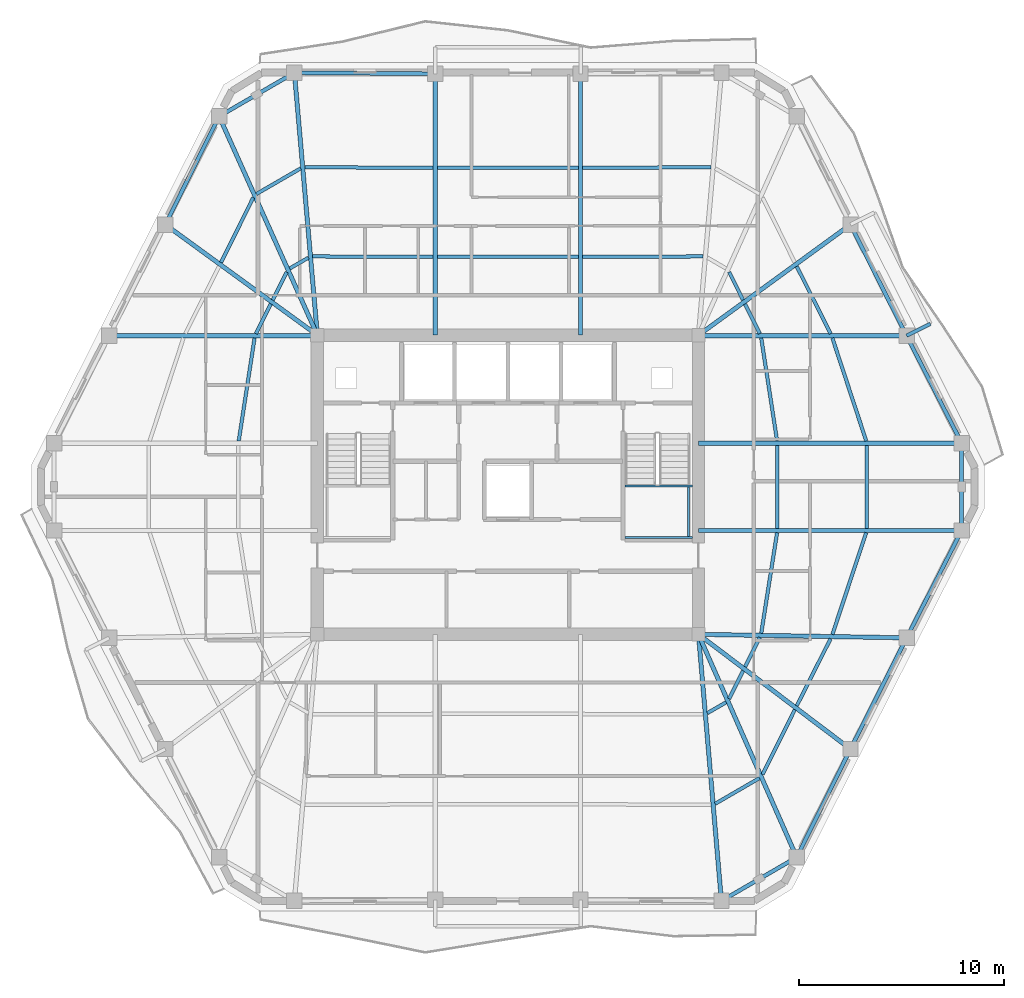
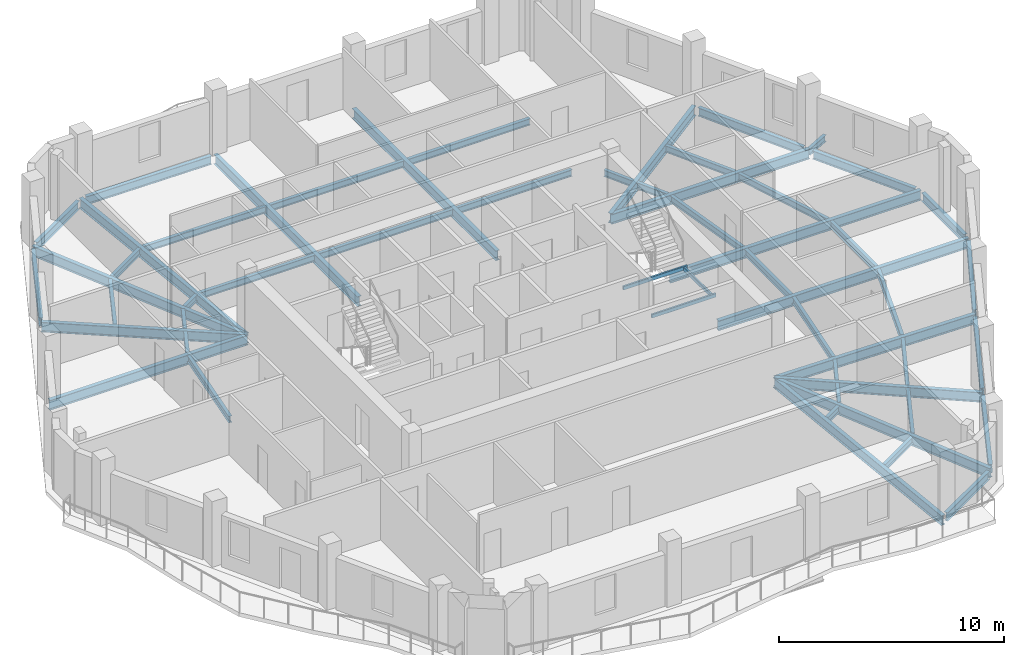
# One storey, part 2 of 10: 55 beams.
"""IFC4 building model written with IfcOpenShell, lengths in metres."""

from ifc_helpers import new_model, si_unit, direction, frame, origin, origin_2d, place, context, subcontext, project, spatial, hollow_rectangle, i_section, extrude, material, material_profile, profile_set, type_object, element, save


model = new_model("IFC4")

# Units and contexts
model_context = context("Model", 3, precision=1e-05, world=origin(), true_north=direction((0.0, 1.0)))
body_context = subcontext(model_context, "Body", "Model", "MODEL_VIEW")
ifc_project = project(units=[si_unit("LENGTHUNIT", "METRE"), si_unit("AREAUNIT", "SQUARE_METRE"), si_unit("VOLUMEUNIT", "CUBIC_METRE"), si_unit("PLANEANGLEUNIT", "RADIAN"), si_unit("MASSUNIT", "GRAM", prefix="KILO")], contexts=[model_context])

# Site, building, storey
site_placement = place(None, origin())
site = spatial("IfcSite", under=ifc_project, at=site_placement, CompositionType="ELEMENT")
building_placement = place(site_placement, origin())
building = spatial("IfcBuilding", under=site, at=building_placement, Name="Cinnabar Lancet Tower", CompositionType="ELEMENT")
storey_placement = place(building_placement, frame((0.0, 0.0, 218.050048828125)))
storey = spatial("IfcBuildingStorey", under=building, at=storey_placement, Name="L58", CompositionType="ELEMENT", Elevation=218.050048828125)

# Beams
ifc_material_1 = material(Name="Structural steel S355", Category="steel")
ifc_material_profile_1 = material_profile(ifc_material_1, i_section(OverallWidth=0.17138671875, OverallDepth=0.35498046875, WebThickness=0.00732421875, FlangeThickness=0.011474609375, FilletRadius=0.01025390625, at=origin_2d()), Name="UKB 356x171x51")
ifc_profile_set_1 = profile_set([ifc_material_profile_1], Name="Structural steel S355")
beam_type_1 = type_object("IfcBeamType", Name="STR-BM-JST-356", PredefinedType="JOIST", material=ifc_profile_set_1)
beam_1_placement = place(storey_placement, frame((42.51708984375, 10.3310546875, -0.3779296875), z_axis=(0.865267839663, 0.501309849937, 0.0), x_axis=(-0.501309849937, 0.865267839663, 0.0)))
element("IfcBeam", 1, at=beam_1_placement, inside=storey, type_object=beam_type_1, Name="L58 Secondary Floor Joist 15", PredefinedType="JOIST", context=body_context, shape_type="SweptSolid", body=[
    extrude(i_section(OverallWidth=0.17138671875, OverallDepth=0.35498046875, WebThickness=0.00732421875, FlangeThickness=0.011474609375, FilletRadius=0.01025390625, at=origin_2d()), origin(), (0.0, 0.0, 1.0), 2.497314453125),
])
beam_2_placement = place(storey_placement, frame((42.135986328125, 14.7548828125, -0.3779296875), z_axis=(0.8651881055, 0.501447446998, 0.0), x_axis=(-0.501447446998, 0.8651881055, 0.0)))
element("IfcBeam", 2, at=beam_2_placement, inside=storey, type_object=beam_type_1, Name="L58 Secondary Floor Joist 16", PredefinedType="JOIST", context=body_context, shape_type="SweptSolid", body=[
    extrude(i_section(OverallWidth=0.17138671875, OverallDepth=0.35498046875, WebThickness=0.00732421875, FlangeThickness=0.011474609375, FilletRadius=0.01025390625, at=origin_2d()), origin(), (0.0, 0.0, 1.0), 1.05322265625),
])
beam_3_placement = place(storey_placement, frame((44.8291015625, 11.758056640625, -0.3779296875), z_axis=(0.445027906173, 0.895516701534, 0.0), x_axis=(-0.895516701534, 0.445027906173, 0.0)))
element("IfcBeam", 3, at=beam_3_placement, inside=storey, type_object=beam_type_1, Name="L58 Secondary Floor Joist 17", PredefinedType="JOIST", context=body_context, shape_type="SweptSolid", body=[
    extrude(i_section(OverallWidth=0.17138671875, OverallDepth=0.35498046875, WebThickness=0.00732421875, FlangeThickness=0.011474609375, FilletRadius=0.01025390625, at=origin_2d()), origin(), (0.0, 0.0, 1.0), 3.531982421875),
])
beam_4_placement = place(storey_placement, frame((43.198974609375, 15.45703125, -0.3779296875), z_axis=(0.444589856968, 0.895734256954, 0.0), x_axis=(-0.895734256954, 0.444589856968, 0.0)))
element("IfcBeam", 4, at=beam_4_placement, inside=storey, type_object=beam_type_1, Name="L58 Secondary Floor Joist 18", PredefinedType="JOIST", context=body_context, shape_type="SweptSolid", body=[
    extrude(i_section(OverallWidth=0.17138671875, OverallDepth=0.35498046875, WebThickness=0.00732421875, FlangeThickness=0.011474609375, FilletRadius=0.01025390625, at=origin_2d()), origin(), (0.0, 0.0, 1.0), 1.527099609375),
])
beam_5_placement = place(storey_placement, frame((46.49609375, 15.112060546875, -0.3779296875), z_axis=(0.450564728728, 0.892743762357, 0.0), x_axis=(-0.892743762357, 0.450564728728, 0.0)))
element("IfcBeam", 5, at=beam_5_placement, inside=storey, type_object=beam_type_1, Name="L58 Secondary Floor Joist 19", PredefinedType="JOIST", context=body_context, shape_type="SweptSolid", body=[
    extrude(i_section(OverallWidth=0.17138671875, OverallDepth=0.35498046875, WebThickness=0.00732421875, FlangeThickness=0.011474609375, FilletRadius=0.01025390625, at=origin_2d()), origin(), (0.0, 0.0, 1.0), 3.66845703125),
])
beam_6_placement = place(storey_placement, frame((43.97412109375, 17.014892578125, -0.3779296875), z_axis=(0.450137936259, 0.892959035085, 0.0), x_axis=(-0.892959035085, 0.450137936259, 0.0)))
element("IfcBeam", 6, at=beam_6_placement, inside=storey, type_object=beam_type_1, Name="L58 Secondary Floor Joist 20", PredefinedType="JOIST", context=body_context, shape_type="SweptSolid", body=[
    extrude(i_section(OverallWidth=0.17138671875, OverallDepth=0.35498046875, WebThickness=0.00732421875, FlangeThickness=0.011474609375, FilletRadius=0.01025390625, at=origin_2d()), origin(), (0.0, 0.0, 1.0), 1.6015625),
])
beam_7_placement = place(storey_placement, frame((48.236083984375, 18.594970703125, -0.3779296875), z_axis=(0.315346227037, 0.948976689436, 0.0), x_axis=(-0.948976689436, 0.315346227037, 0.0)))
element("IfcBeam", 7, at=beam_7_placement, inside=storey, type_object=beam_type_1, Name="L58 Secondary Floor Joist 21", PredefinedType="JOIST", context=body_context, shape_type="SweptSolid", body=[
    extrude(i_section(OverallWidth=0.17138671875, OverallDepth=0.35498046875, WebThickness=0.00732421875, FlangeThickness=0.011474609375, FilletRadius=0.01025390625, at=origin_2d()), origin(), (0.0, 0.0, 1.0), 5.235107421875),
])
beam_8_placement = place(storey_placement, frame((44.763916015625, 18.653076171875, -0.3779296875), z_axis=(0.155750702097, 0.987796395416, 0.0), x_axis=(-0.987796395416, 0.155750702097, 0.0)))
element("IfcBeam", 8, at=beam_8_placement, inside=storey, type_object=beam_type_1, Name="L58 Secondary Floor Joist 22", PredefinedType="JOIST", context=body_context, shape_type="SweptSolid", body=[
    extrude(i_section(OverallWidth=0.17138671875, OverallDepth=0.35498046875, WebThickness=0.00732421875, FlangeThickness=0.011474609375, FilletRadius=0.01025390625, at=origin_2d()), origin(), (0.0, 0.0, 1.0), 4.970458984375),
])
for number, where, z_axis, x_axis, name in (
    (9, (49.922119140625, 23.77294921875, -0.3779296875), (0.0, 1.0, 0.0), (-1.0, 0.0, 0.0), "L58 Secondary Floor Joist 23"),
    (10, (45.553955078125, 23.77294921875, -0.3779296875), (0.0, 1.0, 0.0), (-1.0, 0.0, 0.0), "L58 Secondary Floor Joist 24"),
):
    element("IfcBeam", number, at=place(storey_placement, frame(where, z_axis=z_axis, x_axis=x_axis)), inside=storey, type_object=beam_type_1, Name=name, PredefinedType="JOIST", context=body_context, shape_type="SweptSolid", body=[
        extrude(i_section(OverallWidth=0.17138671875, OverallDepth=0.35498046875, WebThickness=0.00732421875, FlangeThickness=0.011474609375, FilletRadius=0.01025390625, at=origin_2d()), origin(), (0.0, 0.0, 1.0), 4.053955078125),
    ])
beam_9_placement = place(storey_placement, frame((49.887939453125, 28.037109375, -0.3779296875), z_axis=(-0.312240109925, 0.95000321776, 0.0), x_axis=(-0.95000321776, -0.312240109925, 0.0)))
element("IfcBeam", 11, at=beam_9_placement, inside=storey, type_object=beam_type_1, Name="L58 Secondary Floor Joist 25", PredefinedType="JOIST", context=body_context, shape_type="SweptSolid", body=[
    extrude(i_section(OverallWidth=0.17138671875, OverallDepth=0.35498046875, WebThickness=0.00732421875, FlangeThickness=0.011474609375, FilletRadius=0.01025390625, at=origin_2d()), origin(), (0.0, 0.0, 1.0), 5.29345703125),
])
beam_10_placement = place(storey_placement, frame((45.5380859375, 28.037109375, -0.3779296875), z_axis=(-0.152154536592, 0.98835671546, 0.0), x_axis=(-0.98835671546, -0.152154536592, 0.0)))
element("IfcBeam", 12, at=beam_10_placement, inside=storey, type_object=beam_type_1, Name="L58 Secondary Floor Joist 26", PredefinedType="JOIST", context=body_context, shape_type="SweptSolid", body=[
    extrude(i_section(OverallWidth=0.17138671875, OverallDepth=0.35498046875, WebThickness=0.00732421875, FlangeThickness=0.011474609375, FilletRadius=0.01025390625, at=origin_2d()), origin(), (0.0, 0.0, 1.0), 5.088134765625),
])
beam_11_placement = place(storey_placement, frame((48.14794921875, 33.27587890625, -0.3779296875), z_axis=(-0.449230875134, 0.893415704376, 0.0), x_axis=(-0.893415704376, -0.449230875134, 0.0)))
element("IfcBeam", 13, at=beam_11_placement, inside=storey, type_object=beam_type_1, Name="L58 Secondary Floor Joist 27", PredefinedType="JOIST", context=body_context, shape_type="SweptSolid", body=[
    extrude(i_section(OverallWidth=0.17138671875, OverallDepth=0.35498046875, WebThickness=0.00732421875, FlangeThickness=0.011474609375, FilletRadius=0.01025390625, at=origin_2d()), origin(), (0.0, 0.0, 1.0), 3.677001953125),
])
beam_12_placement = place(storey_placement, frame((44.695068359375, 33.27587890625, -0.3779296875), z_axis=(-0.446006949597, 0.89502949723, 0.0), x_axis=(-0.89502949723, -0.446006949597, 0.0)))
element("IfcBeam", 14, at=beam_12_placement, inside=storey, type_object=beam_type_1, Name="L58 Secondary Floor Joist 28", PredefinedType="JOIST", context=body_context, shape_type="SweptSolid", body=[
    extrude(i_section(OverallWidth=0.17138671875, OverallDepth=0.35498046875, WebThickness=0.00732421875, FlangeThickness=0.011474609375, FilletRadius=0.01025390625, at=origin_2d()), origin(), (0.0, 0.0, 1.0), 1.619140625),
])
beam_13_placement = place(storey_placement, frame((43.8779296875, 34.9150390625, -0.3779296875), z_axis=(-0.444589856968, 0.895734256954, 0.0), x_axis=(-0.895734256954, -0.444589856968, 0.0)))
element("IfcBeam", 15, at=beam_13_placement, inside=storey, type_object=beam_type_1, Name="L58 Secondary Floor Joist 30", PredefinedType="JOIST", context=body_context, shape_type="SweptSolid", body=[
    extrude(i_section(OverallWidth=0.17138671875, OverallDepth=0.35498046875, WebThickness=0.00732421875, FlangeThickness=0.011474609375, FilletRadius=0.01025390625, at=origin_2d()), origin(), (0.0, 0.0, 1.0), 1.527099609375),
])
beam_14_placement = place(storey_placement, frame((42.31201171875, 41.39794921875, -0.3779296875), z_axis=(-0.999986965561, -0.005105752523, 0.0), x_axis=(0.005105752523, -0.999986965561, 0.0)))
element("IfcBeam", 16, at=beam_14_placement, inside=storey, type_object=beam_type_1, Name="L58 Secondary Floor Joist 33", PredefinedType="JOIST", context=body_context, shape_type="SweptSolid", body=[
    extrude(i_section(OverallWidth=0.17138671875, OverallDepth=0.35498046875, WebThickness=0.00732421875, FlangeThickness=0.011474609375, FilletRadius=0.01025390625, at=origin_2d()), origin(), (0.0, 0.0, 1.0), 6.263916015625),
])
beam_15_placement = place(storey_placement, frame((41.930908203125, 37.04296875, -0.3779296875), z_axis=(-0.999996795667, -0.002531532393, 0.0), x_axis=(0.002531532393, -0.999996795667, 0.0)))
element("IfcBeam", 17, at=beam_15_placement, inside=storey, type_object=beam_type_1, Name="L58 Secondary Floor Joist 34", PredefinedType="JOIST", context=body_context, shape_type="SweptSolid", body=[
    extrude(i_section(OverallWidth=0.17138671875, OverallDepth=0.35498046875, WebThickness=0.00732421875, FlangeThickness=0.011474609375, FilletRadius=0.01025390625, at=origin_2d()), origin(), (0.0, 0.0, 1.0), 5.8828125),
])
for number, where, z_axis, x_axis, name in (
    (18, (35.837890625, 41.364990234375, -0.3779296875), (-1.0, 0.0, 0.0), (0.0, -1.0, 0.0), "L58 Secondary Floor Joist 35"),
    (19, (35.837890625, 37.027099609375, -0.3779296875), (-1.0, 0.0, 0.0), (0.0, -1.0, 0.0), "L58 Secondary Floor Joist 36"),
):
    element("IfcBeam", number, at=place(storey_placement, frame(where, z_axis=z_axis, x_axis=x_axis)), inside=storey, type_object=beam_type_1, Name=name, PredefinedType="JOIST", context=body_context, shape_type="SweptSolid", body=[
        extrude(i_section(OverallWidth=0.17138671875, OverallDepth=0.35498046875, WebThickness=0.00732421875, FlangeThickness=0.011474609375, FilletRadius=0.01025390625, at=origin_2d()), origin(), (0.0, 0.0, 1.0), 6.8759765625),
    ])
beam_16_placement = place(storey_placement, frame((28.751953125, 41.365966796875, -0.3779296875), z_axis=(-0.999986965561, 0.005105752523, 0.0), x_axis=(-0.005105752523, -0.999986965561, 0.0)))
element("IfcBeam", 20, at=beam_16_placement, inside=storey, type_object=beam_type_1, Name="L58 Secondary Floor Joist 37", PredefinedType="JOIST", context=body_context, shape_type="SweptSolid", body=[
    extrude(i_section(OverallWidth=0.17138671875, OverallDepth=0.35498046875, WebThickness=0.00732421875, FlangeThickness=0.011474609375, FilletRadius=0.01025390625, at=origin_2d()), origin(), (0.0, 0.0, 1.0), 6.263916015625),
])
beam_17_placement = place(storey_placement, frame((28.751953125, 37.028076171875, -0.3779296875), z_axis=(-0.999996795933, 0.002531427338, 0.0), x_axis=(-0.002531427338, -0.999996795933, 0.0)))
element("IfcBeam", 21, at=beam_17_placement, inside=storey, type_object=beam_type_1, Name="L58 Secondary Floor Joist 38", PredefinedType="JOIST", context=body_context, shape_type="SweptSolid", body=[
    extrude(i_section(OverallWidth=0.17138671875, OverallDepth=0.35498046875, WebThickness=0.00732421875, FlangeThickness=0.011474609375, FilletRadius=0.01025390625, at=origin_2d()), origin(), (0.0, 0.0, 1.0), 5.883056640625),
])
beam_18_placement = place(storey_placement, frame((22.282958984375, 41.341064453125, -0.3779296875), z_axis=(-0.865267839663, -0.501309849937, 0.0), x_axis=(0.501309849937, -0.865267839663, 0.0)))
element("IfcBeam", 22, at=beam_18_placement, inside=storey, type_object=beam_type_1, Name="L58 Secondary Floor Joist 39", PredefinedType="JOIST", context=body_context, shape_type="SweptSolid", body=[
    extrude(i_section(OverallWidth=0.17138671875, OverallDepth=0.35498046875, WebThickness=0.00732421875, FlangeThickness=0.011474609375, FilletRadius=0.01025390625, at=origin_2d()), origin(), (0.0, 0.0, 1.0), 2.497314453125),
])
beam_19_placement = place(storey_placement, frame((22.6640625, 36.985107421875, -0.3779296875), z_axis=(-0.8651881055, -0.501447446998, 0.0), x_axis=(0.501447446998, -0.8651881055, 0.0)))
element("IfcBeam", 23, at=beam_19_placement, inside=storey, type_object=beam_type_1, Name="L58 Secondary Floor Joist 40", PredefinedType="JOIST", context=body_context, shape_type="SweptSolid", body=[
    extrude(i_section(OverallWidth=0.17138671875, OverallDepth=0.35498046875, WebThickness=0.00732421875, FlangeThickness=0.011474609375, FilletRadius=0.01025390625, at=origin_2d()), origin(), (0.0, 0.0, 1.0), 1.05322265625),
])
beam_20_placement = place(storey_placement, frame((19.970947265625, 39.9150390625, -0.3779296875), z_axis=(-0.444835507887, -0.895612288283, 0.0), x_axis=(0.895612288283, -0.444835507887, 0.0)))
element("IfcBeam", 24, at=beam_20_placement, inside=storey, type_object=beam_type_1, Name="L58 Secondary Floor Joist 41", PredefinedType="JOIST", context=body_context, shape_type="SweptSolid", body=[
    extrude(i_section(OverallWidth=0.17138671875, OverallDepth=0.35498046875, WebThickness=0.00732421875, FlangeThickness=0.011474609375, FilletRadius=0.01025390625, at=origin_2d()), origin(), (0.0, 0.0, 1.0), 3.533935546875),
])
beam_21_placement = place(storey_placement, frame((21.60107421875, 36.282958984375, -0.3779296875), z_axis=(-0.444589856968, -0.895734256954, 0.0), x_axis=(0.895734256954, -0.444589856968, 0.0)))
element("IfcBeam", 25, at=beam_21_placement, inside=storey, type_object=beam_type_1, Name="L58 Secondary Floor Joist 42", PredefinedType="JOIST", context=body_context, shape_type="SweptSolid", body=[
    extrude(i_section(OverallWidth=0.17138671875, OverallDepth=0.35498046875, WebThickness=0.00732421875, FlangeThickness=0.011474609375, FilletRadius=0.01025390625, at=origin_2d()), origin(), (0.0, 0.0, 1.0), 1.527099609375),
])
beam_22_placement = place(storey_placement, frame((20.826904296875, 34.72509765625, -0.3779296875), z_axis=(-0.44588615098, -0.895089682861, 0.0), x_axis=(0.895089682861, -0.44588615098, 0.0)))
element("IfcBeam", 26, at=beam_22_placement, inside=storey, type_object=beam_type_1, Name="L58 Secondary Floor Joist 44", PredefinedType="JOIST", context=body_context, shape_type="SweptSolid", body=[
    extrude(i_section(OverallWidth=0.17138671875, OverallDepth=0.35498046875, WebThickness=0.00732421875, FlangeThickness=0.011474609375, FilletRadius=0.01025390625, at=origin_2d()), origin(), (0.0, 0.0, 1.0), 1.619140625),
])
beam_23_placement = place(storey_placement, frame((20.035888671875, 33.06591796875, -0.3779296875), z_axis=(-0.152107663797, -0.988363930248, 0.0), x_axis=(0.988363930248, -0.152107663797, 0.0)))
element("IfcBeam", 27, at=beam_23_placement, inside=storey, type_object=beam_type_1, Name="L58 Secondary Floor Joist 46", PredefinedType="JOIST", context=body_context, shape_type="SweptSolid", body=[
    extrude(i_section(OverallWidth=0.17138671875, OverallDepth=0.35498046875, WebThickness=0.00732421875, FlangeThickness=0.011474609375, FilletRadius=0.01025390625, at=origin_2d()), origin(), (0.0, 0.0, 1.0), 5.088134765625),
])
ifc_material_2 = material(Name="Structural steel S355", Category="steel")
ifc_material_profile_2 = material_profile(ifc_material_2, hollow_rectangle(XDim=0.10009765625, YDim=0.199951171875, WallThickness=0.008056640625, InnerFilletRadius=0.00390625, OuterFilletRadius=0.011962890625, at=origin_2d()), Name="RHS 200x100x8")
ifc_profile_set_2 = profile_set([ifc_material_profile_2], Name="Structural steel S355")
beam_type_2 = type_object("IfcBeamType", Name="STR-BM-LND-203", PredefinedType="BEAM", material=ifc_profile_set_2)
for number, where, z_axis, x_axis, name in (
    (28, (38.1201171875, 23.330078125, 1.474853515625), (1.0, 0.0, 0.0), (0.0, 1.0, 0.0), "L58 ST-2-L58 Landing Support Beam S"),
    (29, (38.1201171875, 25.844970703125, 1.474853515625), (1.0, 0.0, 0.0), (0.0, 1.0, 0.0), "L58 ST-2-L58 Landing Support Beam N"),
):
    element("IfcBeam", number, at=place(storey_placement, frame(where, z_axis=z_axis, x_axis=x_axis)), inside=storey, type_object=beam_type_2, Name=name, PredefinedType="BEAM", context=body_context, shape_type="SweptSolid", body=[
        extrude(hollow_rectangle(XDim=0.10009765625, YDim=0.199951171875, WallThickness=0.008056640625, InnerFilletRadius=0.00390625, OuterFilletRadius=0.011962890625, at=origin_2d()), origin(), (0.0, 0.0, 1.0), 3.27978515625),
    ])
beam_24_placement = place(storey_placement, frame((41.219970703125, 23.3798828125, 1.474853515625), z_axis=(0.0, 1.0, 0.0), x_axis=(-1.0, 0.0, 0.0)))
element("IfcBeam", 30, at=beam_24_placement, inside=storey, type_object=beam_type_2, Name="L58 ST-2-L58 Landing Side Trimmer Beam", PredefinedType="BEAM", context=body_context, shape_type="SweptSolid", body=[
    extrude(hollow_rectangle(XDim=0.10009765625, YDim=0.199951171875, WallThickness=0.008056640625, InnerFilletRadius=0.00390625, OuterFilletRadius=0.011962890625, at=origin_2d()), origin(), (0.0, 0.0, 1.0), 2.4150390625),
])
ifc_material_3 = material(Name="Structural steel S355", Category="steel")
ifc_material_profile_3 = material_profile(ifc_material_3, i_section(OverallWidth=0.1904296875, OverallDepth=0.45703125, WebThickness=0.009033203125, FlangeThickness=0.014404296875, FilletRadius=0.01025390625, at=origin_2d()), Name="UKB 457x191x74")
ifc_profile_set_3 = profile_set([ifc_material_profile_3], Name="Structural steel S355")
beam_type_3 = type_object("IfcBeamType", Name="STR-BM-SPN-457", PredefinedType="SPANDREL", material=ifc_profile_set_3)
beam_25_placement = place(storey_placement, frame((43.037109375, 5.714111328125, -0.428955078125), z_axis=(0.865195717586, 0.501434313016, 0.0), x_axis=(-0.501434313016, 0.865195717586, 0.0)))
element("IfcBeam", 31, at=beam_25_placement, inside=storey, type_object=beam_type_3, Name="L58 Perimeter Spandrel 4", PredefinedType="SPANDREL", context=body_context, shape_type="SweptSolid", body=[
    extrude(i_section(OverallWidth=0.1904296875, OverallDepth=0.45703125, WebThickness=0.009033203125, FlangeThickness=0.014404296875, FilletRadius=0.01025390625, at=origin_2d()), origin(), (0.0, 0.0, 1.0), 3.7470703125),
])
beam_26_placement = place(storey_placement, frame((46.60595703125, 7.94189453125, -0.428955078125), z_axis=(0.444914968367, 0.895572817208, 0.0), x_axis=(-0.895572817208, 0.444914968367, 0.0)))
element("IfcBeam", 32, at=beam_26_placement, inside=storey, type_object=beam_type_3, Name="L58 Perimeter Spandrel 5", PredefinedType="SPANDREL", context=body_context, shape_type="SweptSolid", body=[
    extrude(i_section(OverallWidth=0.1904296875, OverallDepth=0.45703125, WebThickness=0.009033203125, FlangeThickness=0.014404296875, FilletRadius=0.01025390625, at=origin_2d()), origin(), (0.0, 0.0, 1.0), 5.39892578125),
])
beam_27_placement = place(storey_placement, frame((49.23193359375, 13.22412109375, -0.428955078125), z_axis=(0.450395996562, 0.892828900899, 0.0), x_axis=(-0.892828900899, 0.450395996562, 0.0)))
element("IfcBeam", 33, at=beam_27_placement, inside=storey, type_object=beam_type_3, Name="L58 Perimeter Spandrel 6", PredefinedType="SPANDREL", context=body_context, shape_type="SweptSolid", body=[
    extrude(i_section(OverallWidth=0.1904296875, OverallDepth=0.45703125, WebThickness=0.009033203125, FlangeThickness=0.014404296875, FilletRadius=0.01025390625, at=origin_2d()), origin(), (0.0, 0.0, 1.0), 5.579833984375),
])
beam_28_placement = place(storey_placement, frame((51.971923828125, 18.65087890625, -0.428955078125), z_axis=(0.456628362232, 0.889657540184, 0.0), x_axis=(-0.889657540184, 0.456628362232, 0.0)))
element("IfcBeam", 34, at=beam_28_placement, inside=storey, type_object=beam_type_3, Name="L58 Perimeter Spandrel 7", PredefinedType="SPANDREL", context=body_context, shape_type="SweptSolid", body=[
    extrude(i_section(OverallWidth=0.1904296875, OverallDepth=0.45703125, WebThickness=0.009033203125, FlangeThickness=0.014404296875, FilletRadius=0.01025390625, at=origin_2d()), origin(), (0.0, 0.0, 1.0), 5.389892578125),
])
beam_29_placement = place(storey_placement, frame((54.547119140625, 23.91796875, -0.428955078125), z_axis=(0.0, 1.0, 0.0), x_axis=(-1.0, 0.0, 0.0)))
element("IfcBeam", 35, at=beam_29_placement, inside=storey, type_object=beam_type_3, Name="L58 Perimeter Spandrel 8", PredefinedType="SPANDREL", context=body_context, shape_type="SweptSolid", body=[
    extrude(i_section(OverallWidth=0.1904296875, OverallDepth=0.45703125, WebThickness=0.009033203125, FlangeThickness=0.014404296875, FilletRadius=0.01025390625, at=origin_2d()), origin(), (0.0, 0.0, 1.0), 3.763916015625),
])
beam_30_placement = place(storey_placement, frame((54.43310546875, 28.154052734375, -0.428955078125), z_axis=(-0.456646764028, 0.889648094981, 0.0), x_axis=(-0.889648094981, -0.456646764028, 0.0)))
element("IfcBeam", 36, at=beam_30_placement, inside=storey, type_object=beam_type_3, Name="L58 Perimeter Spandrel 9", PredefinedType="SPANDREL", context=body_context, shape_type="SweptSolid", body=[
    extrude(i_section(OverallWidth=0.1904296875, OverallDepth=0.45703125, WebThickness=0.009033203125, FlangeThickness=0.014404296875, FilletRadius=0.01025390625, at=origin_2d()), origin(), (0.0, 0.0, 1.0), 5.3896484375),
])
beam_31_placement = place(storey_placement, frame((51.7451171875, 33.39404296875, -0.428955078125), z_axis=(-0.450395996562, 0.892828900899, 0.0), x_axis=(-0.892828900899, -0.450395996562, 0.0)))
element("IfcBeam", 37, at=beam_31_placement, inside=storey, type_object=beam_type_3, Name="L58 Perimeter Spandrel 10", PredefinedType="SPANDREL", context=body_context, shape_type="SweptSolid", body=[
    extrude(i_section(OverallWidth=0.1904296875, OverallDepth=0.45703125, WebThickness=0.009033203125, FlangeThickness=0.014404296875, FilletRadius=0.01025390625, at=origin_2d()), origin(), (0.0, 0.0, 1.0), 5.579833984375),
])
beam_32_placement = place(storey_placement, frame((28.60693359375, 45.9599609375, -0.428955078125), z_axis=(-0.999970401924, 0.007693846685, 0.0), x_axis=(-0.007693846685, -0.999970401924, 0.0)))
element("IfcBeam", 38, at=beam_32_placement, inside=storey, type_object=beam_type_3, Name="L58 Perimeter Spandrel 15", PredefinedType="SPANDREL", context=body_context, shape_type="SweptSolid", body=[
    extrude(i_section(OverallWidth=0.1904296875, OverallDepth=0.45703125, WebThickness=0.009033203125, FlangeThickness=0.014404296875, FilletRadius=0.01025390625, at=origin_2d()), origin(), (0.0, 0.0, 1.0), 6.378173828125),
])
beam_33_placement = place(storey_placement, frame((21.762939453125, 45.885986328125, -0.428955078125), z_axis=(-0.865195717586, -0.501434313016, 0.0), x_axis=(0.501434313016, -0.865195717586, 0.0)))
element("IfcBeam", 39, at=beam_33_placement, inside=storey, type_object=beam_type_3, Name="L58 Perimeter Spandrel 16", PredefinedType="SPANDREL", context=body_context, shape_type="SweptSolid", body=[
    extrude(i_section(OverallWidth=0.1904296875, OverallDepth=0.45703125, WebThickness=0.009033203125, FlangeThickness=0.014404296875, FilletRadius=0.01025390625, at=origin_2d()), origin(), (0.0, 0.0, 1.0), 3.7470703125),
])
beam_34_placement = place(storey_placement, frame((18.194091796875, 43.657958984375, -0.428955078125), z_axis=(-0.444932986899, -0.895563865489, 0.0), x_axis=(0.895563865489, -0.444932986899, 0.0)))
element("IfcBeam", 40, at=beam_34_placement, inside=storey, type_object=beam_type_3, Name="L58 Perimeter Spandrel 17", PredefinedType="SPANDREL", context=body_context, shape_type="SweptSolid", body=[
    extrude(i_section(OverallWidth=0.1904296875, OverallDepth=0.45703125, WebThickness=0.009033203125, FlangeThickness=0.014404296875, FilletRadius=0.01025390625, at=origin_2d()), origin(), (0.0, 0.0, 1.0), 5.398681640625),
])
ifc_material_4 = material(Name="Structural steel S355", Category="steel")
ifc_material_profile_4 = material_profile(ifc_material_4, i_section(OverallWidth=0.209228515625, OverallDepth=0.533203125, WebThickness=0.010009765625, FlangeThickness=0.015625, FilletRadius=0.0126953125, at=origin_2d()), Name="UKB 533x210x92")
ifc_profile_set_4 = profile_set([ifc_material_profile_4], Name="Structural steel S355")
beam_type_4 = type_object("IfcBeamType", Name="STR-BM-UKB533-92", PredefinedType="BEAM", material=ifc_profile_set_4)
beam_35_placement = place(storey_placement, frame((49.118896484375, 13.0009765625, -0.467041015625), z_axis=(-0.798193439732, 0.602401222417, 0.0), x_axis=(-0.602401222417, -0.798193439732, 0.0)))
element("IfcBeam", 41, at=beam_35_placement, inside=storey, type_object=beam_type_4, Name="L58 Corner Collector Girder 2", PredefinedType="BEAM", context=body_context, shape_type="SweptSolid", body=[
    extrude(i_section(OverallWidth=0.209228515625, OverallDepth=0.533203125, WebThickness=0.010009765625, FlangeThickness=0.015625, FilletRadius=0.0126953125, at=origin_2d()), origin(), (0.0, 0.0, 1.0), 9.294677734375),
])
beam_36_placement = place(storey_placement, frame((49.118896484375, 38.59912109375, -0.467041015625), z_axis=(-0.808550797984, -0.588426382039, 0.0), x_axis=(0.588426382039, -0.808550797984, 0.0)))
element("IfcBeam", 42, at=beam_36_placement, inside=storey, type_object=beam_type_4, Name="L58 Corner Collector Girder 3", PredefinedType="BEAM", context=body_context, shape_type="SweptSolid", body=[
    extrude(i_section(OverallWidth=0.209228515625, OverallDepth=0.533203125, WebThickness=0.010009765625, FlangeThickness=0.015625, FilletRadius=0.0126953125, at=origin_2d()), origin(), (0.0, 0.0, 1.0), 9.175537109375),
])
beam_37_placement = place(storey_placement, frame((15.680908203125, 38.59912109375, -0.467041015625), z_axis=(0.80856001044, -0.588413723087, 0.0), x_axis=(0.588413723087, 0.80856001044, 0.0)))
element("IfcBeam", 43, at=beam_37_placement, inside=storey, type_object=beam_type_4, Name="L58 Corner Collector Girder 4", PredefinedType="BEAM", context=body_context, shape_type="SweptSolid", body=[
    extrude(i_section(OverallWidth=0.209228515625, OverallDepth=0.533203125, WebThickness=0.010009765625, FlangeThickness=0.015625, FilletRadius=0.0126953125, at=origin_2d()), origin(), (0.0, 0.0, 1.0), 9.17578125),
])
beam_38_placement = place(storey_placement, frame((42.821044921875, 5.589111328125, -0.467041015625), z_axis=(-0.085847068729, 0.996308326167, 0.0), x_axis=(-0.996308326167, -0.085847068729, 0.0)))
element("IfcBeam", 44, at=beam_38_placement, inside=storey, type_object=beam_type_4, Name="L58 Primary Floor Girder 4", PredefinedType="BEAM", context=body_context, shape_type="SweptSolid", body=[
    extrude(i_section(OverallWidth=0.209228515625, OverallDepth=0.533203125, WebThickness=0.010009765625, FlangeThickness=0.015625, FilletRadius=0.0126953125, at=origin_2d()), origin(), (0.0, 0.0, 1.0), 13.05908203125),
])
beam_39_placement = place(storey_placement, frame((46.4951171875, 7.718017578125, -0.467041015625), z_axis=(-0.403235299754, 0.915096329919, 0.0), x_axis=(-0.915096329919, -0.403235299754, 0.0)))
element("IfcBeam", 45, at=beam_39_placement, inside=storey, type_object=beam_type_4, Name="L58 Primary Floor Girder 5", PredefinedType="BEAM", context=body_context, shape_type="SweptSolid", body=[
    extrude(i_section(OverallWidth=0.209228515625, OverallDepth=0.533203125, WebThickness=0.010009765625, FlangeThickness=0.015625, FilletRadius=0.0126953125, at=origin_2d()), origin(), (0.0, 0.0, 1.0), 11.891845703125),
])
beam_40_placement = place(storey_placement, frame((51.85791015625, 18.428955078125, -0.467041015625), z_axis=(-0.999858100525, 0.016845735777, 0.0), x_axis=(-0.016845735777, -0.999858100525, 0.0)))
element("IfcBeam", 46, at=beam_40_placement, inside=storey, type_object=beam_type_4, Name="L58 Primary Floor Girder 7", PredefinedType="BEAM", context=body_context, shape_type="SweptSolid", body=[
    extrude(i_section(OverallWidth=0.209228515625, OverallDepth=0.533203125, WebThickness=0.010009765625, FlangeThickness=0.015625, FilletRadius=0.0126953125, at=origin_2d()), origin(), (0.0, 0.0, 1.0), 10.159423828125),
])
for number, where, z_axis, x_axis, name in (
    (47, (54.547119140625, 23.66796875, -0.467041015625), (-1.0, 0.0, 0.0), (0.0, -1.0, 0.0), "L58 Primary Floor Girder 8"),
    (48, (54.547119140625, 27.931884765625, -0.467041015625), (-1.0, 0.0, 0.0), (0.0, -1.0, 0.0), "L58 Primary Floor Girder 9"),
):
    element("IfcBeam", number, at=place(storey_placement, frame(where, z_axis=z_axis, x_axis=x_axis)), inside=storey, type_object=beam_type_4, Name=name, PredefinedType="BEAM", context=body_context, shape_type="SweptSolid", body=[
        extrude(i_section(OverallWidth=0.209228515625, OverallDepth=0.533203125, WebThickness=0.010009765625, FlangeThickness=0.015625, FilletRadius=0.0126953125, at=origin_2d()), origin(), (0.0, 0.0, 1.0), 12.84716796875),
    ])
beam_41_placement = place(storey_placement, frame((51.85791015625, 33.1708984375, -0.467041015625), z_axis=(-1.0, 0.0, 0.0), x_axis=(0.0, -1.0, 0.0)))
element("IfcBeam", 49, at=beam_41_placement, inside=storey, type_object=beam_type_4, Name="L58 Primary Floor Girder 10", PredefinedType="BEAM", context=body_context, shape_type="SweptSolid", body=[
    extrude(i_section(OverallWidth=0.209228515625, OverallDepth=0.533203125, WebThickness=0.010009765625, FlangeThickness=0.015625, FilletRadius=0.0126953125, at=origin_2d()), origin(), (0.0, 0.0, 1.0), 10.157958984375),
])
for number, where, z_axis, x_axis, name in (
    (50, (35.943115234375, 45.9580078125, -0.467041015625), (0.0, -1.0, 0.0), (1.0, 0.0, 0.0), "L58 Primary Floor Girder 14"),
    (51, (28.85693359375, 45.9580078125, -0.467041015625), (0.0, -1.0, 0.0), (1.0, 0.0, 0.0), "L58 Primary Floor Girder 15"),
):
    element("IfcBeam", number, at=place(storey_placement, frame(where, z_axis=z_axis, x_axis=x_axis)), inside=storey, type_object=beam_type_4, Name=name, PredefinedType="BEAM", context=body_context, shape_type="SweptSolid", body=[
        extrude(i_section(OverallWidth=0.209228515625, OverallDepth=0.533203125, WebThickness=0.010009765625, FlangeThickness=0.015625, FilletRadius=0.0126953125, at=origin_2d()), origin(), (0.0, 0.0, 1.0), 12.758056640625),
    ])
beam_42_placement = place(storey_placement, frame((21.97900390625, 46.010986328125, -0.467041015625), z_axis=(0.087176841412, -0.996192851973, 0.0), x_axis=(0.996192851973, 0.087176841412, 0.0)))
element("IfcBeam", 52, at=beam_42_placement, inside=storey, type_object=beam_type_4, Name="L58 Primary Floor Girder 16", PredefinedType="BEAM", context=body_context, shape_type="SweptSolid", body=[
    extrude(i_section(OverallWidth=0.209228515625, OverallDepth=0.533203125, WebThickness=0.010009765625, FlangeThickness=0.015625, FilletRadius=0.0126953125, at=origin_2d()), origin(), (0.0, 0.0, 1.0), 12.860107421875),
])
beam_43_placement = place(storey_placement, frame((18.304931640625, 43.882080078125, -0.467041015625), z_axis=(0.409527011626, -0.912297992297, 0.0), x_axis=(0.912297992297, 0.409527011626, 0.0)))
element("IfcBeam", 53, at=beam_43_placement, inside=storey, type_object=beam_type_4, Name="L58 Primary Floor Girder 17", PredefinedType="BEAM", context=body_context, shape_type="SweptSolid", body=[
    extrude(i_section(OverallWidth=0.209228515625, OverallDepth=0.533203125, WebThickness=0.010009765625, FlangeThickness=0.015625, FilletRadius=0.0126953125, at=origin_2d()), origin(), (0.0, 0.0, 1.0), 11.708984375),
])
beam_44_placement = place(storey_placement, frame((12.94189453125, 33.1708984375, -0.467041015625), z_axis=(1.0, 0.0, 0.0), x_axis=(0.0, 1.0, 0.0)))
element("IfcBeam", 54, at=beam_44_placement, inside=storey, type_object=beam_type_4, Name="L58 Primary Floor Girder 19", PredefinedType="BEAM", context=body_context, shape_type="SweptSolid", body=[
    extrude(i_section(OverallWidth=0.209228515625, OverallDepth=0.533203125, WebThickness=0.010009765625, FlangeThickness=0.015625, FilletRadius=0.0126953125, at=origin_2d()), origin(), (0.0, 0.0, 1.0), 10.158203125),
])
ifc_material_5 = material(Name="Structural steel S355", Category="steel")
ifc_material_profile_5 = material_profile(ifc_material_5, i_section(OverallWidth=0.17138671875, OverallDepth=0.35498046875, WebThickness=0.00732421875, FlangeThickness=0.011474609375, FilletRadius=0.01025390625, at=origin_2d()), Name="UKB 356x171x51")
ifc_profile_set_5 = profile_set([ifc_material_profile_5], Name="Structural steel S355")
beam_type_5 = type_object("IfcBeamType", Name="STR-BM-WAV-OUT", PredefinedType="BEAM", material=ifc_profile_set_5)
beam_45_placement = place(storey_placement, frame((51.85791015625, 33.1708984375, -0.39697265625), z_axis=(0.892238560088, 0.451564338597, 0.0), x_axis=(-0.451564338597, 0.892238560088, 0.0)))
element("IfcBeam", 55, at=beam_45_placement, inside=storey, type_object=beam_type_5, Name="L58 Face 3 Balcony Outlooker A", PredefinedType="BEAM", context=body_context, shape_type="SweptSolid", body=[
    extrude(i_section(OverallWidth=0.17138671875, OverallDepth=0.35498046875, WebThickness=0.00732421875, FlangeThickness=0.011474609375, FilletRadius=0.01025390625, at=origin_2d()), origin(), (0.0, 0.0, 1.0), 1.30029296875),
])

save(model, "model.ifc")
